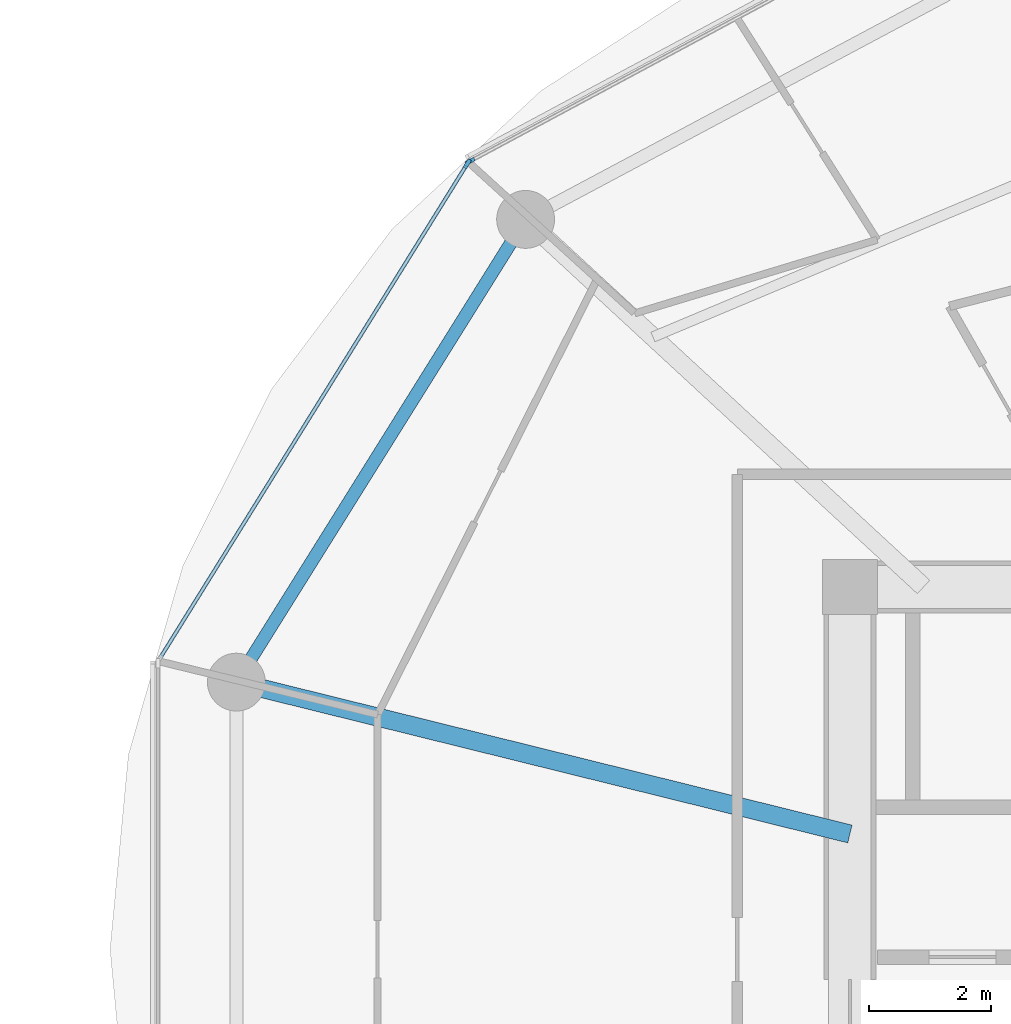
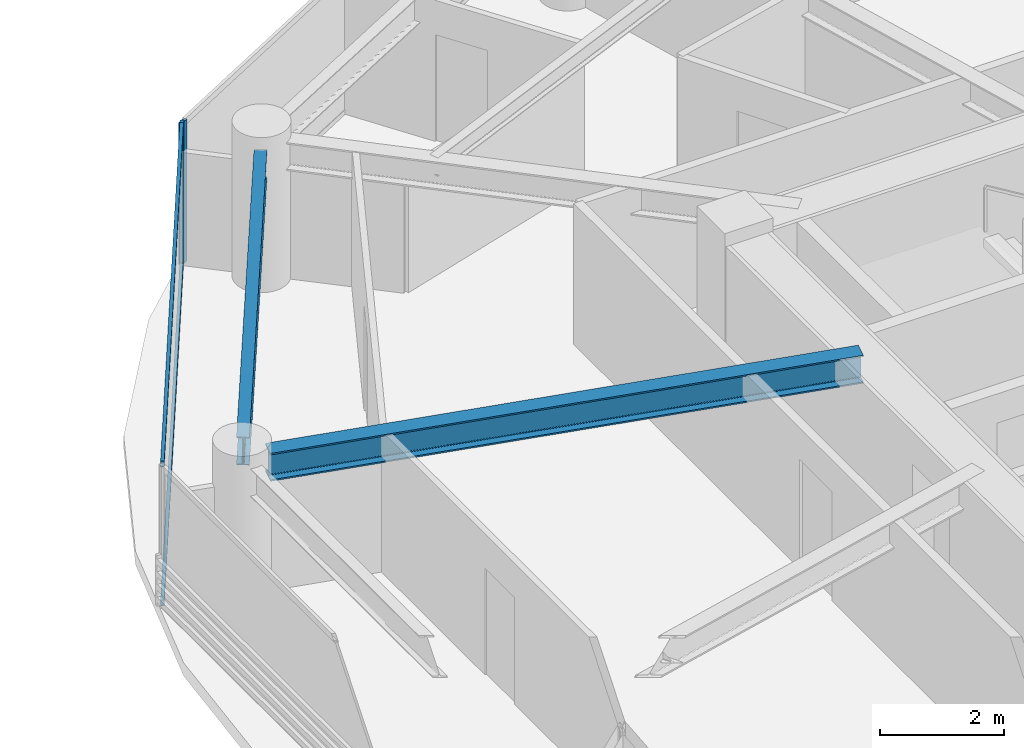
# One storey, part 9 of 28: 4 members, 2 beams, 2 elements without a shape of their own.
"""IFC4 building model written with IfcOpenShell, lengths in metres."""

from ifc_helpers import new_model, si_unit, direction, frame, origin, origin_2d, place, context, subcontext, project, spatial, rectangle, i_section, extrude, source, transform, mapped, material, layer, layer_set, material_profile, profile_set, type_object, type_shapes, element, aggregate, save


model = new_model("IFC4")

# Units and contexts
model_context = context("Model", 3, precision=1e-05, world=origin(), true_north=direction((0.0, 1.0)))
body_context = subcontext(model_context, "Body", "Model", "MODEL_VIEW")
ifc_project = project(units=[si_unit("LENGTHUNIT", "METRE"), si_unit("AREAUNIT", "SQUARE_METRE"), si_unit("VOLUMEUNIT", "CUBIC_METRE"), si_unit("PLANEANGLEUNIT", "RADIAN"), si_unit("MASSUNIT", "GRAM", prefix="KILO")], contexts=[model_context])

# Site, building, storey
site_placement = place(None, origin())
site = spatial("IfcSite", under=ifc_project, at=site_placement, CompositionType="ELEMENT")
building_placement = place(site_placement, origin())
building = spatial("IfcBuilding", under=site, at=building_placement, Name="Norrkilde Senior Care Towers", CompositionType="ELEMENT")
storey_placement = place(building_placement, frame((0.0, 0.0, 39.89990234375)))
storey = spatial("IfcBuildingStorey", under=building, at=storey_placement, Name="L11", CompositionType="ELEMENT", Elevation=39.89990234375)

# Beams
ifc_material_1 = material(Name="Steel S355", Category="steel")
ifc_material_profile_1 = material_profile(ifc_material_1, i_section(OverallWidth=0.2099609375, OverallDepth=0.550048828125, WebThickness=0.010986328125, FlangeThickness=0.01708984375, FilletRadius=0.02392578125, at=origin_2d()), Name="IPE 550")
ifc_profile_set_1 = profile_set([ifc_material_profile_1], Name="Steel S355")
beam_type_1 = type_object("IfcBeamType", Name="Perimeter Ring Spandrel Z1 IPE550", PredefinedType="SPANDREL", material=ifc_profile_set_1)
shared_shape_1 = source(origin(), body_context, "Body", "SweptSolid", [
    extrude(i_section(OverallWidth=0.2099609375, OverallDepth=0.550048828125, WebThickness=0.010986328125, FlangeThickness=0.01708984375, FilletRadius=0.02392578125, at=origin_2d()), origin(), (0.0, 0.0, 1.0), 8.090576171875),
])
type_shapes(beam_type_1, [shared_shape_1])
beam_1_placement = place(storey_placement, frame((14.7939453125, 11.61669921875, 2.51513671875), z_axis=(-0.530004364821, -0.84799491347, 0.0), x_axis=(0.84799491347, -0.530004364821, 0.0)))
element("IfcBeam", 1, at=beam_1_placement, inside=storey, type_object=beam_type_1, Name="L11 Drum E Perimeter Spandrel 05", PredefinedType="SPANDREL", context=body_context, shape_type="MappedRepresentation", body=[
    mapped(shared_shape_1, transform((0.0, 0.0, 0.0), x_axis=(1.0, 0.0, 0.0), y_axis=(0.0, 1.0, 0.0), z_axis=(0.0, 0.0, 1.0), scale=1.0)),
])
ifc_material_profile_2 = material_profile(ifc_material_1, i_section(OverallWidth=0.300048828125, OverallDepth=0.550048828125, WebThickness=0.014892578125, FlangeThickness=0.029052734375, FilletRadius=0.027099609375, at=origin_2d()), Name="HEB 550")
ifc_profile_set_2 = profile_set([ifc_material_profile_2], Name="Steel S355")
beam_type_2 = type_object("IfcBeamType", Name="Radial Floor Beam Z1 HEB550", PredefinedType="BEAM", material=ifc_profile_set_2)
shared_shape_2 = source(origin(), body_context, "Body", "SweptSolid", [
    extrude(i_section(OverallWidth=0.300048828125, OverallDepth=0.550048828125, WebThickness=0.014892578125, FlangeThickness=0.029052734375, FilletRadius=0.027099609375, at=origin_2d()), origin(), (0.0, 0.0, 1.0), 9.94384765625),
])
type_shapes(beam_type_2, [shared_shape_2])
beam_2_placement = place(storey_placement, frame((20.35009765625, 1.893310546875, 2.51513671875), z_axis=(-0.970707425182, 0.240264634718, 0.0), x_axis=(-0.240264634718, -0.970707425182, 0.0)))
element("IfcBeam", 2, at=beam_2_placement, inside=storey, type_object=beam_type_2, Name="L11 Drum E Radial Floor Beam 06", PredefinedType="BEAM", context=body_context, shape_type="MappedRepresentation", body=[
    mapped(shared_shape_2, transform((0.0, 0.0, 0.0), x_axis=(1.0, 0.0, 0.0), y_axis=(0.0, 1.0, 0.0), z_axis=(0.0, 0.0, 1.0), scale=1.0)),
])

# Curtain wall, member
ifc_material_2 = material(Name="Triple Low-E Insulated Glazing", Category="glass")
ifc_layer = layer(ifc_material_2, 0.199951171875)
ifc_layer_set = layer_set([ifc_layer], Name="Triple Low-E Insulated Glazing")
curtain_wall_type = type_object("IfcCurtainWallType", Name="CW2 Zone 1 Memory Care Curtain Wall", PredefinedType="NOTDEFINED", material=ifc_layer_set)
curtain_wall_1_placement = place(storey_placement, origin())
curtain_wall_1 = element("IfcCurtainWall", 3, at=curtain_wall_1_placement, inside=storey, type_object=curtain_wall_type, Name="L11 Drum E Curtain Wall 03", PredefinedType="NOTDEFINED")
ifc_material_3 = material(Name="Anodised Aluminium", Category="aluminium")
ifc_material_profile_3 = material_profile(ifc_material_3, rectangle(XDim=0.06494140625, YDim=0.159912109375, at=origin_2d()), Name="ALU MULL 65x160")
ifc_profile_set_3 = profile_set([ifc_material_profile_3], Name="Anodised Aluminium")
member_type_1 = type_object("IfcMemberType", Name="Curtain Wall Mullion Z1-Z2 65x160", PredefinedType="MULLION", material=ifc_profile_set_3)
shared_shape_3 = source(origin(), body_context, "Body", "SweptSolid", [
    extrude(rectangle(XDim=0.06494140625, YDim=0.159912109375, at=origin_2d()), origin(), (0.0, 0.0, 1.0), 2.7900390625),
])
type_shapes(member_type_1, [shared_shape_3])
member_1_placement = place(storey_placement, frame((14.11279296875, 12.941162109375, 0.0), z_axis=(0.0, 0.0, 1.0), x_axis=(-0.472607802456, 0.881272866403, 0.0)))
member_1 = element("IfcMember", 4, at=member_1_placement, type_object=member_type_1, Name="CW-2 mullion 1", PredefinedType="MULLION", context=body_context, shape_type="MappedRepresentation", body=[
    mapped(shared_shape_3, transform((0.0, 0.0, 0.0), x_axis=(1.0, 0.0, 0.0), y_axis=(0.0, 1.0, 0.0), z_axis=(0.0, 0.0, 1.0), scale=1.0)),
])
aggregate(curtain_wall_1, [member_1])

# Curtain wall, members
curtain_wall_2_placement = place(storey_placement, origin())
curtain_wall_2 = element("IfcCurtainWall", 5, at=curtain_wall_2_placement, inside=storey, type_object=curtain_wall_type, Name="L11 Drum E Curtain Wall 04", PredefinedType="NOTDEFINED")
member_2_placement = place(storey_placement, frame((14.06689453125, 12.898193359375, 0.0), z_axis=(0.0, 0.0, 1.0), x_axis=(-0.849305943117, 0.527900951871, 0.0)))
member_2 = element("IfcMember", 6, at=member_2_placement, type_object=member_type_1, Name="CW-2 mullion 2", PredefinedType="MULLION", context=body_context, shape_type="MappedRepresentation", body=[
    mapped(shared_shape_3, transform((0.0, 0.0, 0.0), x_axis=(1.0, 0.0, 0.0), y_axis=(0.0, 1.0, 0.0), z_axis=(0.0, 0.0, 1.0), scale=1.0)),
])
ifc_material_profile_4 = material_profile(ifc_material_3, rectangle(XDim=0.06005859375, YDim=0.1201171875, at=origin_2d()), Name="ALU TRAN 60x120")
ifc_profile_set_4 = profile_set([ifc_material_profile_4], Name="Anodised Aluminium")
member_type_2 = type_object("IfcMemberType", Name="Curtain Wall Transom Typical 60x120", PredefinedType="USERDEFINED", material=ifc_profile_set_4)
shared_shape_4 = source(origin(), body_context, "Body", "SweptSolid", [
    extrude(rectangle(XDim=0.06005859375, YDim=0.1201171875, at=origin_2d()), origin(), (0.0, 0.0, 1.0), 9.5185546875),
])
type_shapes(member_type_2, [shared_shape_4])
member_3_placement = place(storey_placement, frame((9.02490234375, 4.786376953125, 0.030029296875), z_axis=(0.527901620669, 0.849305527413, 0.0), x_axis=(-0.849305527413, 0.527901620669, 0.0)))
member_3 = element("IfcMember", 7, at=member_3_placement, type_object=member_type_2, Name="CW-2 transom 1.1", ObjectType="TRANSOM", PredefinedType="USERDEFINED", context=body_context, shape_type="MappedRepresentation", body=[
    mapped(shared_shape_4, transform((0.0, 0.0, 0.0), x_axis=(1.0, 0.0, 0.0), y_axis=(0.0, 1.0, 0.0), z_axis=(0.0, 0.0, 1.0), scale=1.0)),
])
member_4_placement = place(storey_placement, frame((9.02490234375, 4.786376953125, 2.760009765625), z_axis=(0.527901620669, 0.849305527413, 0.0), x_axis=(-0.849305527413, 0.527901620669, 0.0)))
member_4 = element("IfcMember", 8, at=member_4_placement, type_object=member_type_2, Name="CW-2 transom 1.2", ObjectType="TRANSOM", PredefinedType="USERDEFINED", context=body_context, shape_type="MappedRepresentation", body=[
    mapped(shared_shape_4, transform((0.0, 0.0, 0.0), x_axis=(1.0, 0.0, 0.0), y_axis=(0.0, 1.0, 0.0), z_axis=(0.0, 0.0, 1.0), scale=1.0)),
])
aggregate(curtain_wall_2, [member_2, member_3, member_4])

save(model, "model.ifc")
